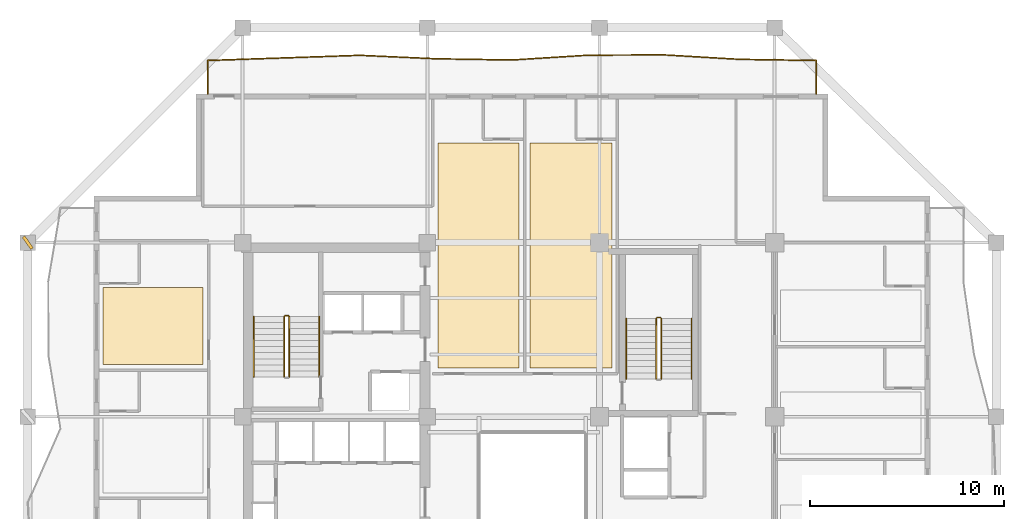
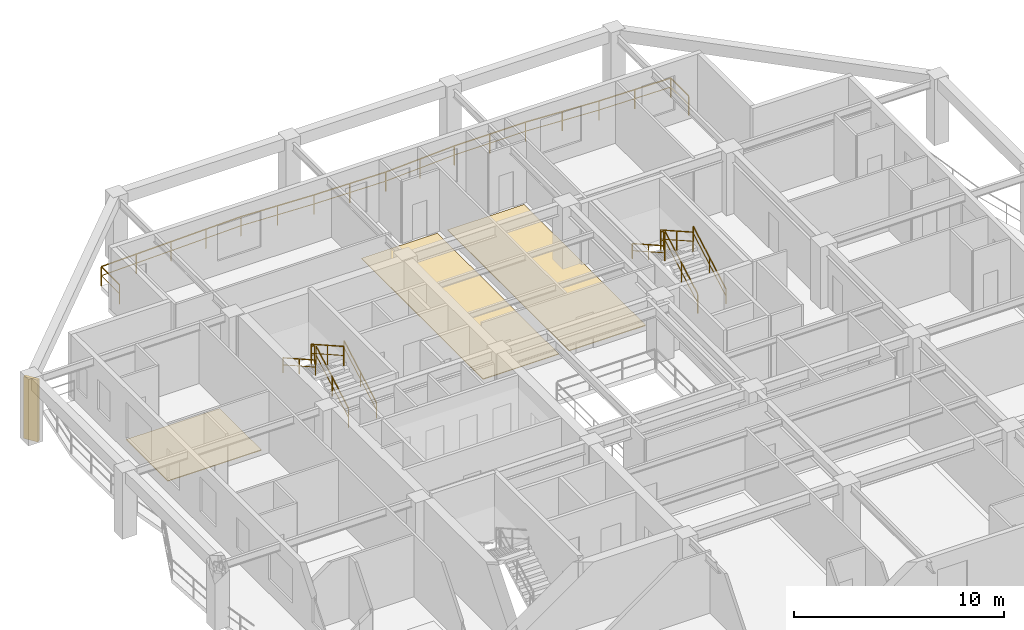
# One storey, part 11 of 13: 11 railings, 3 coverings, 1 shading device.
"""IFC4 building model written with IfcOpenShell, lengths in metres."""

from ifc_helpers import new_model, si_unit, direction, frame, origin, origin_2d, place, context, subcontext, project, spatial, polyline, rectangle, outline, extrude, material, layer, layer_set, type_object, element, save


model = new_model("IFC4")

# Units and contexts
model_context = context("Model", 3, precision=1e-05, world=origin(), true_north=direction((0.0, 1.0)))
body_context = subcontext(model_context, "Body", "Model", "MODEL_VIEW")
ifc_project = project(units=[si_unit("LENGTHUNIT", "METRE"), si_unit("AREAUNIT", "SQUARE_METRE"), si_unit("VOLUMEUNIT", "CUBIC_METRE"), si_unit("PLANEANGLEUNIT", "RADIAN"), si_unit("MASSUNIT", "GRAM", prefix="KILO")], contexts=[model_context])

# Site, building, storey
site_placement = place(None, origin())
site = spatial("IfcSite", under=ifc_project, at=site_placement, CompositionType="ELEMENT")
building_placement = place(site_placement, origin())
building = spatial("IfcBuilding", under=site, at=building_placement, Name="Kundavana Baori Tower", CompositionType="ELEMENT")
storey_placement = place(building_placement, frame((0.0, 0.0, 161.75)))
storey = spatial("IfcBuildingStorey", under=building, at=storey_placement, Name="L39", CompositionType="ELEMENT", Elevation=161.75)

# Coverings
ifc_material_1 = material(Name="Honed Kota Stone and Terrazzo Flooring", Category="masonry")
ifc_layer = layer(ifc_material_1, 0.0400390625, Name="COV-FLR-TERR-40")
ifc_layer_set = layer_set([ifc_layer], Name="Honed Kota Stone and Terrazzo Flooring")
covering_type = type_object("IfcCoveringType", Name="COV-FLR-TERR-40", PredefinedType="FLOORING", material=ifc_layer_set)
covering_1_placement = place(storey_placement, origin())
element("IfcCovering", 1, at=covering_1_placement, inside=storey, type_object=covering_type, Name="L39 Room Finished Stone Flooring 4", PredefinedType="FLOORING", context=body_context, shape_type="SweptSolid", body=[
    extrude(outline(polyline([(8.280029296875, 35.679931640625), (13.419921875, 35.679931640625), (13.419921875, 39.64990234375), (8.280029296875, 39.64990234375), (8.280029296875, 35.679931640625)])), origin(), (0.0, 0.0, 1.0), 0.0400390625),
])
covering_2_placement = place(storey_placement, origin())
element("IfcCovering", 2, at=covering_2_placement, inside=storey, type_object=covering_type, Name="L39 Room Finished Stone Flooring 11", PredefinedType="FLOORING", context=body_context, shape_type="SweptSolid", body=[
    extrude(outline(polyline([(25.5, 35.5), (29.669921875, 35.5), (29.669921875, 47.070068359375), (25.5, 47.070068359375), (25.5, 35.5)])), origin(), (0.0, 0.0, 1.0), 0.0400390625),
])
covering_3_placement = place(storey_placement, origin())
element("IfcCovering", 3, at=covering_3_placement, inside=storey, type_object=covering_type, Name="L39 Room Finished Stone Flooring 12", PredefinedType="FLOORING", context=body_context, shape_type="SweptSolid", body=[
    extrude(outline(polyline([(30.22998046875, 35.5), (34.43994140625, 35.5), (34.43994140625, 47.070068359375), (30.22998046875, 47.070068359375), (30.22998046875, 35.5)])), origin(), (0.0, 0.0, 1.0), 0.0400390625),
])

# Railings
ifc_material_2 = material(Name="Architectural Patinated Bronze Metalwork")
railing_type_1 = type_object("IfcRailingType", Name="RL-BAL-1150", PredefinedType="BALUSTRADE", material=ifc_material_2)
railing_1_placement = place(storey_placement, frame((13.64990234375, 49.60009765625, 0.0)))
element("IfcRailing", 4, at=railing_1_placement, inside=storey, type_object=railing_type_1, Name="L39 Loggia Balcony Balustrade N", PredefinedType="BALUSTRADE", context=body_context, shape_type="SweptSolid", body=[
    extrude(rectangle(XDim=0.048095703125, YDim=0.048095703125, at=origin_2d()), frame((0.0, 0.0, 1.1259765625), z_axis=(0.0, 1.0, 0.0), x_axis=(-1.0, 0.0, 0.0)), (0.0, 0.0, 1.0), 1.719970703125),
    extrude(rectangle(XDim=0.03125, YDim=0.03125, at=origin_2d()), frame((0.0, 0.0, 0.597900390625), z_axis=(0.0, 1.0, 0.0), x_axis=(-1.0, 0.0, 0.0)), (0.0, 0.0, 1.0), 1.719970703125),
    extrude(rectangle(XDim=0.048095703125, YDim=0.048095703125, at=origin_2d()), frame((0.0, 1.719970703125, 1.1259765625), z_axis=(0.999424227759, 0.03392952945, 0.0), x_axis=(-0.03392952945, 0.999424227759, 0.0)), (0.0, 0.0, 1.0), 3.914306640625),
    extrude(rectangle(XDim=0.03125, YDim=0.03125, at=origin_2d()), frame((0.0, 1.719970703125, 0.597900390625), z_axis=(0.999424227759, 0.03392952945, 0.0), x_axis=(-0.03392952945, 0.999424227759, 0.0)), (0.0, 0.0, 1.0), 3.914306640625),
    extrude(rectangle(XDim=0.048095703125, YDim=0.048095703125, at=origin_2d()), frame((3.912109375, 1.852783203125, 1.1259765625), z_axis=(0.999413896813, 0.03423248249, 0.0), x_axis=(-0.03423248249, 0.999413896813, 0.0)), (0.0, 0.0, 1.0), 3.915283203125),
    extrude(rectangle(XDim=0.03125, YDim=0.03125, at=origin_2d()), frame((3.912109375, 1.852783203125, 0.597900390625), z_axis=(0.999413896813, 0.03423248249, 0.0), x_axis=(-0.03423248249, 0.999413896813, 0.0)), (0.0, 0.0, 1.0), 3.915283203125),
    extrude(rectangle(XDim=0.048095703125, YDim=0.048095703125, at=origin_2d()), frame((7.8251953125, 1.98681640625, 1.1259765625), z_axis=(0.99896712605, -0.04543876177, 0.0), x_axis=(0.04543876177, 0.99896712605, 0.0)), (0.0, 0.0, 1.0), 3.9169921875),
    extrude(rectangle(XDim=0.03125, YDim=0.03125, at=origin_2d()), frame((7.8251953125, 1.98681640625, 0.597900390625), z_axis=(0.99896712605, -0.04543876177, 0.0), x_axis=(0.04543876177, 0.99896712605, 0.0)), (0.0, 0.0, 1.0), 3.9169921875),
    extrude(rectangle(XDim=0.048095703125, YDim=0.048095703125, at=origin_2d()), frame((11.738037109375, 1.808837890625, 1.1259765625), z_axis=(0.999870406531, -0.016098762162, 0.0), x_axis=(0.016098762162, 0.999870406531, 0.0)), (0.0, 0.0, 1.0), 3.91259765625),
    extrude(rectangle(XDim=0.03125, YDim=0.03125, at=origin_2d()), frame((11.738037109375, 1.808837890625, 0.597900390625), z_axis=(0.999870406531, -0.016098762162, 0.0), x_axis=(0.016098762162, 0.999870406531, 0.0)), (0.0, 0.0, 1.0), 3.91259765625),
    extrude(rectangle(XDim=0.048095703125, YDim=0.048095703125, at=origin_2d()), frame((15.650146484375, 1.745849609375, 1.1259765625), z_axis=(0.997996698184, 0.063266028911, 0.0), x_axis=(-0.063266028911, 0.997996698184, 0.0)), (0.0, 0.0, 1.0), 3.920654296875),
    extrude(rectangle(XDim=0.03125, YDim=0.03125, at=origin_2d()), frame((15.650146484375, 1.745849609375, 0.597900390625), z_axis=(0.997996698184, 0.063266028911, 0.0), x_axis=(-0.063266028911, 0.997996698184, 0.0)), (0.0, 0.0, 1.0), 3.920654296875),
    extrude(rectangle(XDim=0.048095703125, YDim=0.048095703125, at=origin_2d()), frame((19.56298828125, 1.993896484375, 1.1259765625), z_axis=(0.999993673351, 0.003557141749, 0.0), x_axis=(-0.003557141749, 0.999993673351, 0.0)), (0.0, 0.0, 1.0), 3.912109375),
    extrude(rectangle(XDim=0.03125, YDim=0.03125, at=origin_2d()), frame((19.56298828125, 1.993896484375, 0.597900390625), z_axis=(0.999993673351, 0.003557141749, 0.0), x_axis=(-0.003557141749, 0.999993673351, 0.0)), (0.0, 0.0, 1.0), 3.912109375),
    extrude(rectangle(XDim=0.048095703125, YDim=0.048095703125, at=origin_2d()), frame((23.47509765625, 2.0078125, 1.1259765625), z_axis=(0.998277378648, -0.058670906581, 0.0), x_axis=(0.058670906581, 0.998277378648, 0.0)), (0.0, 0.0, 1.0), 3.919921875),
    extrude(rectangle(XDim=0.03125, YDim=0.03125, at=origin_2d()), frame((23.47509765625, 2.0078125, 0.597900390625), z_axis=(0.998277378648, -0.058670906581, 0.0), x_axis=(0.058670906581, 0.998277378648, 0.0)), (0.0, 0.0, 1.0), 3.919921875),
    extrude(rectangle(XDim=0.048095703125, YDim=0.048095703125, at=origin_2d()), frame((27.38818359375, 1.77783203125, 1.1259765625), z_axis=(0.999890627591, -0.014789619843, 0.0), x_axis=(0.014789619843, 0.999890627591, 0.0)), (0.0, 0.0, 1.0), 3.912353515625),
    extrude(rectangle(XDim=0.03125, YDim=0.03125, at=origin_2d()), frame((27.38818359375, 1.77783203125, 0.597900390625), z_axis=(0.999890627591, -0.014789619843, 0.0), x_axis=(0.014789619843, 0.999890627591, 0.0)), (0.0, 0.0, 1.0), 3.912353515625),
    extrude(rectangle(XDim=0.048095703125, YDim=0.048095703125, at=origin_2d()), frame((31.300048828125, 1.719970703125, 1.1259765625), z_axis=(0.0, -1.0, 0.0), x_axis=(1.0, 0.0, 0.0)), (0.0, 0.0, 1.0), 1.719970703125),
    extrude(rectangle(XDim=0.03125, YDim=0.03125, at=origin_2d()), frame((31.300048828125, 1.719970703125, 0.597900390625), z_axis=(0.0, -1.0, 0.0), x_axis=(1.0, 0.0, 0.0)), (0.0, 0.0, 1.0), 1.719970703125),
    extrude(rectangle(XDim=0.0419921875, YDim=0.0419921875, at=origin_2d()), origin(), (0.0, 0.0, 1.0), 1.101806640625),
    extrude(rectangle(XDim=0.0419921875, YDim=0.0419921875, at=origin_2d()), frame((0.0, 1.719970703125, 0.0)), (0.0, 0.0, 1.0), 1.101806640625),
    extrude(rectangle(XDim=0.0419921875, YDim=0.0419921875, at=origin_2d()), frame((1.9560546875, 1.786376953125, 0.0)), (0.0, 0.0, 1.0), 1.101806640625),
    extrude(rectangle(XDim=0.0419921875, YDim=0.0419921875, at=origin_2d()), frame((3.912109375, 1.852783203125, 0.0)), (0.0, 0.0, 1.0), 1.101806640625),
    extrude(rectangle(XDim=0.0419921875, YDim=0.0419921875, at=origin_2d()), frame((5.86865234375, 1.919921875, 0.0)), (0.0, 0.0, 1.0), 1.101806640625),
    extrude(rectangle(XDim=0.0419921875, YDim=0.0419921875, at=origin_2d()), frame((7.8251953125, 1.98681640625, 0.0)), (0.0, 0.0, 1.0), 1.101806640625),
    extrude(rectangle(XDim=0.0419921875, YDim=0.0419921875, at=origin_2d()), frame((9.78173828125, 1.89794921875, 0.0)), (0.0, 0.0, 1.0), 1.101806640625),
    extrude(rectangle(XDim=0.0419921875, YDim=0.0419921875, at=origin_2d()), frame((11.738037109375, 1.808837890625, 0.0)), (0.0, 0.0, 1.0), 1.101806640625),
    extrude(rectangle(XDim=0.0419921875, YDim=0.0419921875, at=origin_2d()), frame((13.694091796875, 1.77734375, 0.0)), (0.0, 0.0, 1.0), 1.101806640625),
    extrude(rectangle(XDim=0.0419921875, YDim=0.0419921875, at=origin_2d()), frame((15.650146484375, 1.745849609375, 0.0)), (0.0, 0.0, 1.0), 1.101806640625),
    extrude(rectangle(XDim=0.0419921875, YDim=0.0419921875, at=origin_2d()), frame((17.6064453125, 1.869873046875, 0.0)), (0.0, 0.0, 1.0), 1.101806640625),
    extrude(rectangle(XDim=0.0419921875, YDim=0.0419921875, at=origin_2d()), frame((19.56298828125, 1.993896484375, 0.0)), (0.0, 0.0, 1.0), 1.101806640625),
    extrude(rectangle(XDim=0.0419921875, YDim=0.0419921875, at=origin_2d()), frame((21.51904296875, 2.0009765625, 0.0)), (0.0, 0.0, 1.0), 1.101806640625),
    extrude(rectangle(XDim=0.0419921875, YDim=0.0419921875, at=origin_2d()), frame((23.47509765625, 2.0078125, 0.0)), (0.0, 0.0, 1.0), 1.101806640625),
    extrude(rectangle(XDim=0.0419921875, YDim=0.0419921875, at=origin_2d()), frame((25.431640625, 1.892822265625, 0.0)), (0.0, 0.0, 1.0), 1.101806640625),
    extrude(rectangle(XDim=0.0419921875, YDim=0.0419921875, at=origin_2d()), frame((27.38818359375, 1.77783203125, 0.0)), (0.0, 0.0, 1.0), 1.101806640625),
    extrude(rectangle(XDim=0.0419921875, YDim=0.0419921875, at=origin_2d()), frame((29.34423828125, 1.7490234375, 0.0)), (0.0, 0.0, 1.0), 1.101806640625),
    extrude(rectangle(XDim=0.0419921875, YDim=0.0419921875, at=origin_2d()), frame((31.300048828125, 1.719970703125, 0.0)), (0.0, 0.0, 1.0), 1.101806640625),
    extrude(rectangle(XDim=0.0419921875, YDim=0.0419921875, at=origin_2d()), frame((31.300048828125, 0.0, 0.0)), (0.0, 0.0, 1.0), 1.101806640625),
])
ifc_material_3 = material(Name="Architectural Patinated Bronze Metalwork")
railing_type_2 = type_object("IfcRailingType", Name="RL-GRD-1150", PredefinedType="GUARDRAIL", material=ifc_material_3)
railing_2_placement = place(storey_placement, frame((17.840087890625, 35.050048828125, 0.175048828125)))
element("IfcRailing", 5, at=railing_2_placement, inside=storey, type_object=railing_type_2, Name="L39 ST2 stair guard 1", PredefinedType="GUARDRAIL", context=body_context, shape_type="SweptSolid", body=[
    extrude(rectangle(XDim=0.048095703125, YDim=0.048095703125, at=origin_2d()), frame((0.0, 0.0, 1.1259765625), z_axis=(0.0, 0.870814364268, 0.491611984175), x_axis=(-1.0, 0.0, 0.0)), (0.0, 0.0, 1.0), 3.559814453125),
    extrude(rectangle(XDim=0.03125, YDim=0.03125, at=origin_2d()), frame((0.0, 0.0, 0.597900390625), z_axis=(0.0, 0.870814364268, 0.491611984175), x_axis=(-1.0, 0.0, 0.0)), (0.0, 0.0, 1.0), 3.559814453125),
    extrude(rectangle(XDim=0.0419921875, YDim=0.0419921875, at=origin_2d()), origin(), (0.0, 0.0, 1.0), 1.101806640625),
    extrude(rectangle(XDim=0.0419921875, YDim=0.0419921875, at=origin_2d()), frame((0.0, 1.5498046875, 0.875)), (0.0, 0.0, 1.0), 1.101806640625),
    extrude(rectangle(XDim=0.0419921875, YDim=0.0419921875, at=origin_2d()), frame((0.0, 3.099853515625, 1.75)), (0.0, 0.0, 1.0), 1.101806640625),
])
railing_3_placement = place(storey_placement, frame((17.7900390625, 38.199951171875, 1.925048828125)))
element("IfcRailing", 6, at=railing_3_placement, inside=storey, type_object=railing_type_2, Name="L39 ST2 stair guard 2", PredefinedType="GUARDRAIL", context=body_context, shape_type="SweptSolid", body=[
    extrude(rectangle(XDim=0.048095703125, YDim=0.048095703125, at=origin_2d()), frame((0.0, 0.0, 1.1259765625), z_axis=(-1.0, 0.0, 0.0), x_axis=(0.0, -1.0, 0.0)), (0.0, 0.0, 1.0), 0.16015625),
    extrude(rectangle(XDim=0.03125, YDim=0.03125, at=origin_2d()), frame((0.0, 0.0, 0.597900390625), z_axis=(-1.0, 0.0, 0.0), x_axis=(0.0, -1.0, 0.0)), (0.0, 0.0, 1.0), 0.16015625),
    extrude(rectangle(XDim=0.0419921875, YDim=0.0419921875, at=origin_2d()), origin(), (0.0, 0.0, 1.0), 1.101806640625),
    extrude(rectangle(XDim=0.0419921875, YDim=0.0419921875, at=origin_2d()), frame((-0.16015625, 0.0, 0.0)), (0.0, 0.0, 1.0), 1.101806640625),
])
railing_4_placement = place(storey_placement, frame((17.580078125, 38.14990234375, 2.10009765625)))
element("IfcRailing", 7, at=railing_4_placement, inside=storey, type_object=railing_type_2, Name="L39 ST2 stair guard 3", PredefinedType="GUARDRAIL", context=body_context, shape_type="SweptSolid", body=[
    extrude(rectangle(XDim=0.048095703125, YDim=0.048095703125, at=origin_2d()), frame((0.0, 0.0, 1.1259765625), z_axis=(0.0, -0.870814364268, 0.491611984175), x_axis=(1.0, 0.0, 0.0)), (0.0, 0.0, 1.0), 3.559814453125),
    extrude(rectangle(XDim=0.03125, YDim=0.03125, at=origin_2d()), frame((0.0, 0.0, 0.597900390625), z_axis=(0.0, -0.870814364268, 0.491611984175), x_axis=(1.0, 0.0, 0.0)), (0.0, 0.0, 1.0), 3.559814453125),
    extrude(rectangle(XDim=0.0419921875, YDim=0.0419921875, at=origin_2d()), origin(), (0.0, 0.0, 1.0), 1.101806640625),
    extrude(rectangle(XDim=0.0419921875, YDim=0.0419921875, at=origin_2d()), frame((0.0, -1.5498046875, 0.875)), (0.0, 0.0, 1.0), 1.101806640625),
    extrude(rectangle(XDim=0.0419921875, YDim=0.0419921875, at=origin_2d()), frame((0.0, -3.099853515625, 1.75)), (0.0, 0.0, 1.0), 1.101806640625),
])
railing_5_placement = place(storey_placement, frame((36.97998046875, 34.949951171875, 0.175048828125)))
element("IfcRailing", 8, at=railing_5_placement, inside=storey, type_object=railing_type_2, Name="L39 ST3 stair guard 1", PredefinedType="GUARDRAIL", context=body_context, shape_type="SweptSolid", body=[
    extrude(rectangle(XDim=0.048095703125, YDim=0.048095703125, at=origin_2d()), frame((0.0, 0.0, 1.1259765625), z_axis=(0.0, 0.870830938388, 0.491582624537), x_axis=(-1.0, 0.0, 0.0)), (0.0, 0.0, 1.0), 3.559814453125),
    extrude(rectangle(XDim=0.03125, YDim=0.03125, at=origin_2d()), frame((0.0, 0.0, 0.597900390625), z_axis=(0.0, 0.870830938388, 0.491582624537), x_axis=(-1.0, 0.0, 0.0)), (0.0, 0.0, 1.0), 3.559814453125),
    extrude(rectangle(XDim=0.0419921875, YDim=0.0419921875, at=origin_2d()), origin(), (0.0, 0.0, 1.0), 1.101806640625),
    extrude(rectangle(XDim=0.0419921875, YDim=0.0419921875, at=origin_2d()), frame((0.0, 1.550048828125, 0.875)), (0.0, 0.0, 1.0), 1.101806640625),
    extrude(rectangle(XDim=0.0419921875, YDim=0.0419921875, at=origin_2d()), frame((0.0, 3.10009765625, 1.75)), (0.0, 0.0, 1.0), 1.101806640625),
])
railing_6_placement = place(storey_placement, frame((36.929931640625, 38.10009765625, 1.925048828125)))
element("IfcRailing", 9, at=railing_6_placement, inside=storey, type_object=railing_type_2, Name="L39 ST3 stair guard 2", PredefinedType="GUARDRAIL", context=body_context, shape_type="SweptSolid", body=[
    extrude(rectangle(XDim=0.048095703125, YDim=0.048095703125, at=origin_2d()), frame((0.0, 0.0, 1.1259765625), z_axis=(-1.0, 0.0, 0.0), x_axis=(0.0, -1.0, 0.0)), (0.0, 0.0, 1.0), 0.159912109375),
    extrude(rectangle(XDim=0.03125, YDim=0.03125, at=origin_2d()), frame((0.0, 0.0, 0.597900390625), z_axis=(-1.0, 0.0, 0.0), x_axis=(0.0, -1.0, 0.0)), (0.0, 0.0, 1.0), 0.159912109375),
    extrude(rectangle(XDim=0.0419921875, YDim=0.0419921875, at=origin_2d()), origin(), (0.0, 0.0, 1.0), 1.101806640625),
    extrude(rectangle(XDim=0.0419921875, YDim=0.0419921875, at=origin_2d()), frame((-0.159912109375, 0.0, 0.0)), (0.0, 0.0, 1.0), 1.101806640625),
])
railing_7_placement = place(storey_placement, frame((36.719970703125, 38.050048828125, 2.10009765625)))
element("IfcRailing", 10, at=railing_7_placement, inside=storey, type_object=railing_type_2, Name="L39 ST3 stair guard 3", PredefinedType="GUARDRAIL", context=body_context, shape_type="SweptSolid", body=[
    extrude(rectangle(XDim=0.048095703125, YDim=0.048095703125, at=origin_2d()), frame((0.0, 0.0, 1.1259765625), z_axis=(0.0, -0.870830938388, 0.491582624537), x_axis=(1.0, 0.0, 0.0)), (0.0, 0.0, 1.0), 3.559814453125),
    extrude(rectangle(XDim=0.03125, YDim=0.03125, at=origin_2d()), frame((0.0, 0.0, 0.597900390625), z_axis=(0.0, -0.870830938388, 0.491582624537), x_axis=(1.0, 0.0, 0.0)), (0.0, 0.0, 1.0), 3.559814453125),
    extrude(rectangle(XDim=0.0419921875, YDim=0.0419921875, at=origin_2d()), origin(), (0.0, 0.0, 1.0), 1.101806640625),
    extrude(rectangle(XDim=0.0419921875, YDim=0.0419921875, at=origin_2d()), frame((0.0, -1.550048828125, 0.875)), (0.0, 0.0, 1.0), 1.101806640625),
    extrude(rectangle(XDim=0.0419921875, YDim=0.0419921875, at=origin_2d()), frame((0.0, -3.10009765625, 1.75)), (0.0, 0.0, 1.0), 1.101806640625),
])
ifc_material_4 = material(Name="Architectural Patinated Bronze Metalwork")
railing_type_3 = type_object("IfcRailingType", Name="RL-HND-920", PredefinedType="HANDRAIL", material=ifc_material_4)
railing_8_placement = place(storey_placement, frame((19.389892578125, 35.050048828125, 0.175048828125)))
element("IfcRailing", 11, at=railing_8_placement, inside=storey, type_object=railing_type_3, Name="L39 ST2 stair handrail 1", PredefinedType="HANDRAIL", context=body_context, shape_type="SweptSolid", body=[
    extrude(rectangle(XDim=0.048095703125, YDim=0.048095703125, at=origin_2d()), frame((0.0, 0.0, 0.8759765625), z_axis=(0.0, 0.870814364268, 0.491611984175), x_axis=(-1.0, 0.0, 0.0)), (0.0, 0.0, 1.0), 3.559814453125),
    extrude(rectangle(XDim=0.03125, YDim=0.03125, at=origin_2d()), frame((0.0, 0.0, 0.468017578125), z_axis=(0.0, 0.870814364268, 0.491611984175), x_axis=(-1.0, 0.0, 0.0)), (0.0, 0.0, 1.0), 3.559814453125),
    extrude(rectangle(XDim=0.0419921875, YDim=0.0419921875, at=origin_2d()), origin(), (0.0, 0.0, 1.0), 0.851806640625),
    extrude(rectangle(XDim=0.0419921875, YDim=0.0419921875, at=origin_2d()), frame((0.0, 1.5498046875, 0.875)), (0.0, 0.0, 1.0), 0.851806640625),
    extrude(rectangle(XDim=0.0419921875, YDim=0.0419921875, at=origin_2d()), frame((0.0, 3.099853515625, 1.75)), (0.0, 0.0, 1.0), 0.851806640625),
])
railing_9_placement = place(storey_placement, frame((16.030029296875, 38.14990234375, 2.10009765625)))
element("IfcRailing", 12, at=railing_9_placement, inside=storey, type_object=railing_type_3, Name="L39 ST2 stair handrail 2", PredefinedType="HANDRAIL", context=body_context, shape_type="SweptSolid", body=[
    extrude(rectangle(XDim=0.048095703125, YDim=0.048095703125, at=origin_2d()), frame((0.0, 0.0, 0.8759765625), z_axis=(0.0, -0.870814364268, 0.491611984175), x_axis=(1.0, 0.0, 0.0)), (0.0, 0.0, 1.0), 3.559814453125),
    extrude(rectangle(XDim=0.03125, YDim=0.03125, at=origin_2d()), frame((0.0, 0.0, 0.468017578125), z_axis=(0.0, -0.870814364268, 0.491611984175), x_axis=(1.0, 0.0, 0.0)), (0.0, 0.0, 1.0), 3.559814453125),
    extrude(rectangle(XDim=0.0419921875, YDim=0.0419921875, at=origin_2d()), origin(), (0.0, 0.0, 1.0), 0.851806640625),
    extrude(rectangle(XDim=0.0419921875, YDim=0.0419921875, at=origin_2d()), frame((0.0, -1.5498046875, 0.875)), (0.0, 0.0, 1.0), 0.851806640625),
    extrude(rectangle(XDim=0.0419921875, YDim=0.0419921875, at=origin_2d()), frame((0.0, -3.099853515625, 1.75)), (0.0, 0.0, 1.0), 0.851806640625),
])
railing_10_placement = place(storey_placement, frame((38.530029296875, 34.949951171875, 0.175048828125)))
element("IfcRailing", 13, at=railing_10_placement, inside=storey, type_object=railing_type_3, Name="L39 ST3 stair handrail 1", PredefinedType="HANDRAIL", context=body_context, shape_type="SweptSolid", body=[
    extrude(rectangle(XDim=0.048095703125, YDim=0.048095703125, at=origin_2d()), frame((0.0, 0.0, 0.8759765625), z_axis=(0.0, 0.870830938388, 0.491582624537), x_axis=(-1.0, 0.0, 0.0)), (0.0, 0.0, 1.0), 3.559814453125),
    extrude(rectangle(XDim=0.03125, YDim=0.03125, at=origin_2d()), frame((0.0, 0.0, 0.468017578125), z_axis=(0.0, 0.870830938388, 0.491582624537), x_axis=(-1.0, 0.0, 0.0)), (0.0, 0.0, 1.0), 3.559814453125),
    extrude(rectangle(XDim=0.0419921875, YDim=0.0419921875, at=origin_2d()), origin(), (0.0, 0.0, 1.0), 0.851806640625),
    extrude(rectangle(XDim=0.0419921875, YDim=0.0419921875, at=origin_2d()), frame((0.0, 1.550048828125, 0.875)), (0.0, 0.0, 1.0), 0.851806640625),
    extrude(rectangle(XDim=0.0419921875, YDim=0.0419921875, at=origin_2d()), frame((0.0, 3.10009765625, 1.75)), (0.0, 0.0, 1.0), 0.851806640625),
])
railing_11_placement = place(storey_placement, frame((35.169921875, 38.050048828125, 2.10009765625)))
element("IfcRailing", 14, at=railing_11_placement, inside=storey, type_object=railing_type_3, Name="L39 ST3 stair handrail 2", PredefinedType="HANDRAIL", context=body_context, shape_type="SweptSolid", body=[
    extrude(rectangle(XDim=0.048095703125, YDim=0.048095703125, at=origin_2d()), frame((0.0, 0.0, 0.8759765625), z_axis=(0.0, -0.870830938388, 0.491582624537), x_axis=(1.0, 0.0, 0.0)), (0.0, 0.0, 1.0), 3.559814453125),
    extrude(rectangle(XDim=0.03125, YDim=0.03125, at=origin_2d()), frame((0.0, 0.0, 0.468017578125), z_axis=(0.0, -0.870830938388, 0.491582624537), x_axis=(1.0, 0.0, 0.0)), (0.0, 0.0, 1.0), 3.559814453125),
    extrude(rectangle(XDim=0.0419921875, YDim=0.0419921875, at=origin_2d()), origin(), (0.0, 0.0, 1.0), 0.851806640625),
    extrude(rectangle(XDim=0.0419921875, YDim=0.0419921875, at=origin_2d()), frame((0.0, -1.550048828125, 0.875)), (0.0, 0.0, 1.0), 0.851806640625),
    extrude(rectangle(XDim=0.0419921875, YDim=0.0419921875, at=origin_2d()), frame((0.0, -3.10009765625, 1.75)), (0.0, 0.0, 1.0), 0.851806640625),
])

# Shading device
ifc_material_5 = material(Name="Red-Buff Dholpur Sandstone Cladding on Concrete C40/50", Category="masonry")
shading_device_type = type_object("IfcShadingDeviceType", Name="SHD-FIN-750", PredefinedType="JALOUSIE", material=ifc_material_5)
shading_device_placement = place(storey_placement, frame((4.39990234375, 41.949951171875, 0.0), z_axis=(0.0, 0.0, 1.0), x_axis=(0.815633003474, 0.578569618666, 0.0)))
element("IfcShadingDevice", 15, at=shading_device_placement, inside=storey, type_object=shading_device_type, Name="L39 Sweeping Dholpur Sandstone Facade Fin 8", PredefinedType="JALOUSIE", context=body_context, shape_type="SweptSolid", body=[
    extrude(rectangle(XDim=0.159912109375, YDim=0.75, at=origin_2d()), origin(), (0.0, 0.0, 1.0), 3.60009765625),
])

save(model, "model.ifc")
